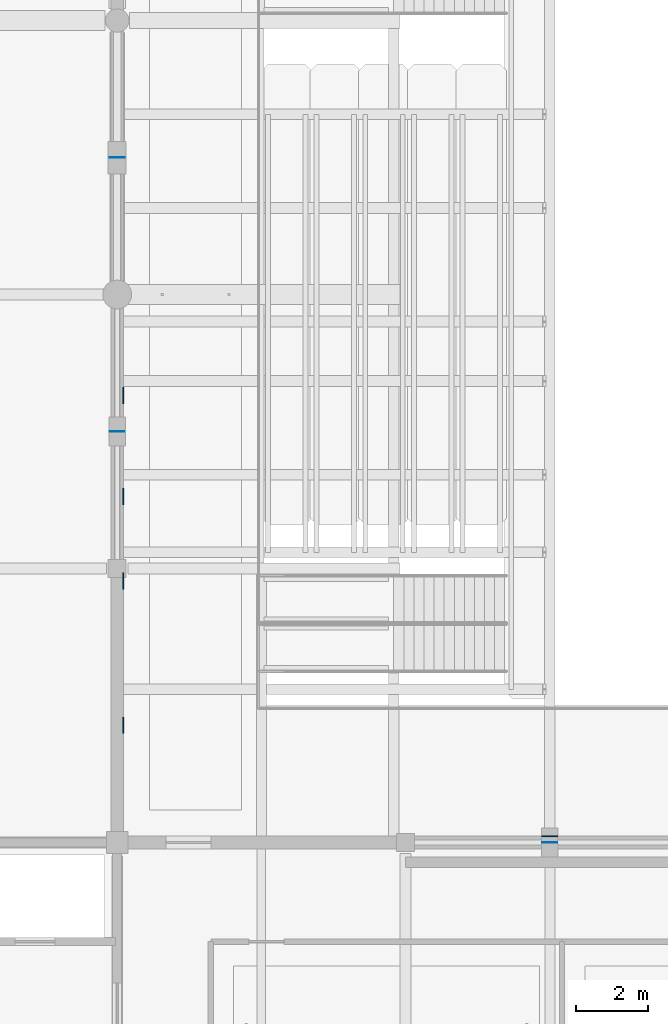
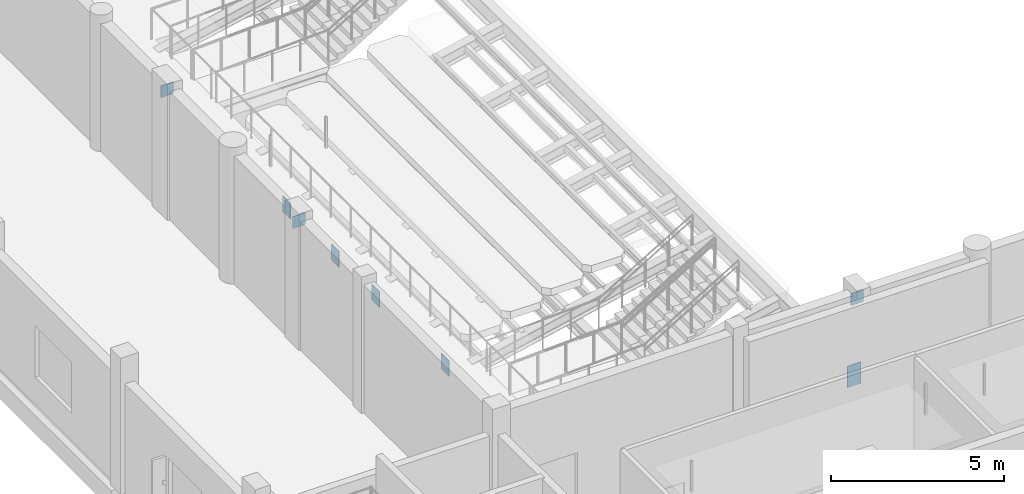
# One storey, part 79 of 147: 8 plates.
"""IFC4 building model written with IfcOpenShell, lengths in metres."""

from ifc_helpers import new_model, si_unit, direction, frame, origin, origin_2d, place, context, subcontext, project, spatial, rectangle, extrude, material, layer, layer_set, type_object, element, save


model = new_model("IFC4")

# Units and contexts
model_context = context("Model", 3, precision=1e-05, world=origin(), true_north=direction((0.0, 1.0)))
body_context = subcontext(model_context, "Body", "Model", "MODEL_VIEW")
ifc_project = project(units=[si_unit("LENGTHUNIT", "METRE"), si_unit("AREAUNIT", "SQUARE_METRE"), si_unit("VOLUMEUNIT", "CUBIC_METRE"), si_unit("PLANEANGLEUNIT", "RADIAN"), si_unit("MASSUNIT", "GRAM", prefix="KILO")], contexts=[model_context])

# Site, building, storey
site_placement = place(None, origin())
site = spatial("IfcSite", under=ifc_project, at=site_placement, CompositionType="ELEMENT")
building_placement = place(site_placement, origin())
building = spatial("IfcBuilding", under=site, at=building_placement, Name="Khelvaren Railside Concert Hall", CompositionType="ELEMENT")
storey_placement = place(building_placement, frame((0.0, 0.0, 5.39990234375)))
storey = spatial("IfcBuildingStorey", under=building, at=storey_placement, Name="L01", CompositionType="ELEMENT", Elevation=5.39990234375)

# Plates
ifc_material = material(Name="Steel S355", Category="steel")
ifc_layer_1 = layer(ifc_material, 0.028076171875)
ifc_layer_set_1 = layer_set([ifc_layer_1], Name="Steel S355")
plate_type_1 = type_object("IfcPlateType", Name="GP71", PredefinedType="USERDEFINED", material=ifc_layer_set_1)
plate_placement = place(storey_placement, frame((20.0, 7.77001953125, 1.065185546875), z_axis=(0.0, 0.0, 1.0), x_axis=(1.0, 0.0, 0.0)))
element("IfcPlate", 1, at=plate_placement, inside=storey, type_object=plate_type_1, Name="Cast-In Shear Wall Embedment Plate V1-L01-RKHDR-S", ObjectType="GUSSET PLATE", PredefinedType="USERDEFINED", context=body_context, shape_type="SweptSolid", body=[
    extrude(rectangle(XDim=0.449951171875, YDim=0.028076171875, at=origin_2d()), origin(), (0.0, 0.0, 1.0), 0.75),
])
for number, where, z_axis, x_axis, name in (
    (2, (8.169921875, 10.85009765625, 3.78515625), (0.0, 0.0, 1.0), (1.0, 0.0, 0.0), "Cast-In Shear Wall Raker Embedment Plate V1-L02-01"),
    (3, (8.169921875, 14.85009765625, 3.78515625), (0.0, 0.0, 1.0), (1.0, 0.0, 0.0), "Cast-In Shear Wall Raker Embedment Plate V1-L02-02"),
    (4, (8.169921875, 17.199951171875, 3.78515625), (0.0, 0.0, 1.0), (1.0, 0.0, 0.0), "Cast-In Shear Wall Raker Embedment Plate V1-L02-03"),
    (5, (8.169921875, 20.0, 3.78515625), (0.0, 0.0, 1.0), (1.0, 0.0, 0.0), "Cast-In Shear Wall Raker Embedment Plate V1-L02-04"),
):
    element("IfcPlate", number, at=place(storey_placement, frame(where, z_axis=z_axis, x_axis=x_axis)), inside=storey, type_object=plate_type_1, Name=name, ObjectType="GUSSET PLATE", PredefinedType="USERDEFINED", context=body_context, shape_type="SweptSolid", body=[
        extrude(rectangle(XDim=0.028076171875, YDim=0.449951171875, at=origin_2d()), origin(), (0.0, 0.0, 1.0), 0.550048828125),
    ])
ifc_layer_2 = layer(ifc_material, 0.02197265625)
ifc_layer_set_2 = layer_set([ifc_layer_2], Name="Steel S355")
plate_type_2 = type_object("IfcPlateType", Name="STP73", PredefinedType="USERDEFINED", material=ifc_layer_set_2)
for number, where, z_axis, x_axis, name in (
    (6, (8.0, 19.0, 4.050048828125), (0.0, 0.0, 1.0), (1.0, 0.0, 0.0), "V1 L01 Brace Apex Stiffener Plate 4"),
    (7, (8.0, 26.60009765625, 4.050048828125), (0.0, 0.0, 1.0), (1.0, 0.0, 0.0), "V1 L01 Brace Apex Stiffener Plate 14"),
    (8, (20.0, 7.60009765625, 4.050048828125), (0.0, 0.0, 1.0), (1.0, 0.0, 0.0), "V1 L01 Brace Apex Stiffener Plate 24"),
):
    element("IfcPlate", number, at=place(storey_placement, frame(where, z_axis=z_axis, x_axis=x_axis)), inside=storey, type_object=plate_type_2, Name=name, ObjectType="STIFFENER PLATE", PredefinedType="USERDEFINED", context=body_context, shape_type="SweptSolid", body=[
        extrude(rectangle(XDim=0.419921875, YDim=0.02197265625, at=origin_2d()), origin(), (0.0, 0.0, 1.0), 0.419921875),
    ])

save(model, "model.ifc")
